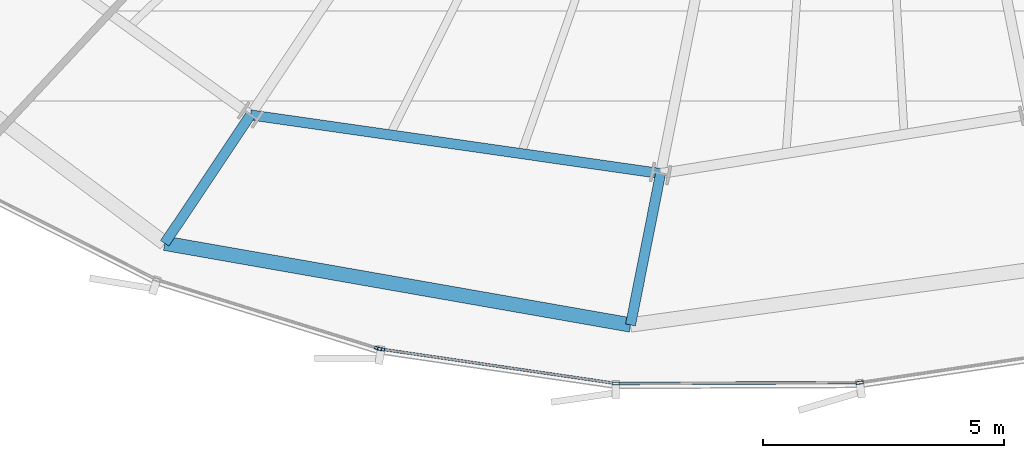
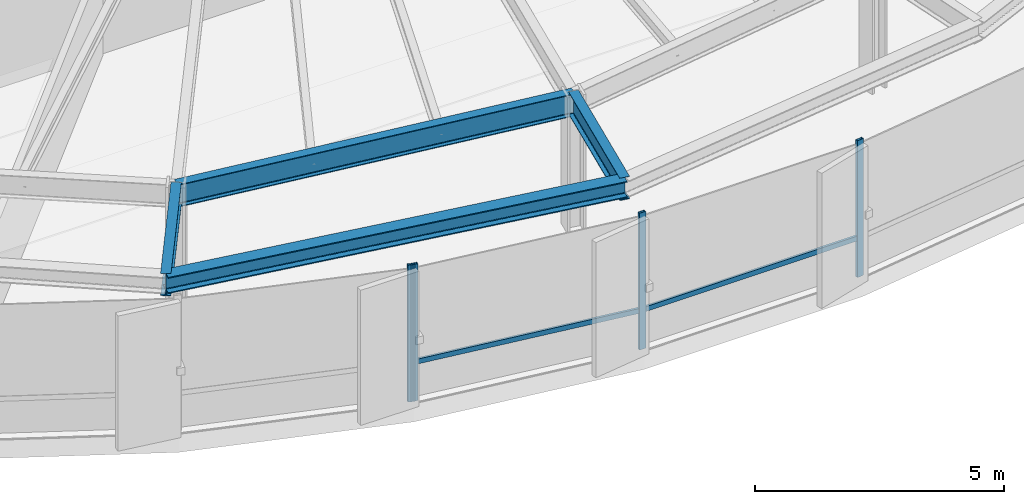
# One storey, part 5 of 35: 6 members, 4 beams, 2 elements without a shape of their own.
"""IFC4 building model written with IfcOpenShell, lengths in metres."""

from ifc_helpers import new_model, si_unit, direction, frame, origin, origin_2d, place, context, subcontext, project, spatial, hollow_rectangle, i_section, extrude, source, transform, mapped, material, layer, layer_set, material_profile, profile_set, type_object, element, aggregate, save


model = new_model("IFC4")

# Units and contexts
model_context = context("Model", 3, precision=1e-05, world=origin(), true_north=direction((0.0, 1.0)))
body_context = subcontext(model_context, "Body", "Model", "MODEL_VIEW")
ifc_project = project(units=[si_unit("LENGTHUNIT", "METRE"), si_unit("AREAUNIT", "SQUARE_METRE"), si_unit("VOLUMEUNIT", "CUBIC_METRE"), si_unit("PLANEANGLEUNIT", "RADIAN"), si_unit("MASSUNIT", "GRAM", prefix="KILO"), si_unit("THERMODYNAMICTEMPERATUREUNIT", "KELVIN")], contexts=[model_context])

# Site, building, storey
site_placement = place(None, origin())
site = spatial("IfcSite", under=ifc_project, at=site_placement, CompositionType="ELEMENT")
building_placement = place(site_placement, origin())
building = spatial("IfcBuilding", under=site, at=building_placement, Name="Kethvar Cultural Tower", CompositionType="ELEMENT")
storey_placement = place(building_placement, frame((0.0, 0.0, 85.60009765625)))
storey = spatial("IfcBuildingStorey", under=building, at=storey_placement, Name="L20", CompositionType="ELEMENT", Elevation=85.60009765625)

# Beams
ifc_material_1 = material(Name="Steel S355J2", Category="steel")
ifc_material_profile_1 = material_profile(ifc_material_1, i_section(OverallWidth=0.2099609375, OverallDepth=0.550048828125, WebThickness=0.010986328125, FlangeThickness=0.01708984375, FilletRadius=0.02392578125, at=origin_2d()), Name="Steel S355J2 — IPE550")
ifc_profile_set_1 = profile_set([ifc_material_profile_1], Name="Steel S355J2 — IPE550")
beam_type_1 = type_object("IfcBeamType", Name="BM-IPE550", PredefinedType="BEAM", material=ifc_profile_set_1)
shared_shape_1 = source(origin(), body_context, "Body", "SweptSolid", [
    extrude(i_section(OverallWidth=0.2099609375, OverallDepth=0.550048828125, WebThickness=0.010986328125, FlangeThickness=0.01708984375, FilletRadius=0.02392578125, at=origin_2d()), origin(), (0.0, 0.0, 1.0), 3.199951171875),
])
beam_1_placement = place(storey_placement, frame((34.350830078125, 9.16845703125, 3.072998046875), z_axis=(-0.555580212716, -0.831462943996, 0.0), x_axis=(0.831462943996, -0.555580212716, 0.0)))
element("IfcBeam", 1, at=beam_1_placement, inside=storey, type_object=beam_type_1, Name="L20 Perimeter Cantilever Beam RC-11", PredefinedType="BEAM", context=body_context, shape_type="MappedRepresentation", body=[
    mapped(shared_shape_1, transform((0.0, 0.0, 0.0), scale=1.0)),
])
shared_shape_2 = source(origin(), body_context, "Body", "SweptSolid", [
    extrude(i_section(OverallWidth=0.2099609375, OverallDepth=0.550048828125, WebThickness=0.010986328125, FlangeThickness=0.01708984375, FilletRadius=0.02392578125, at=origin_2d()), origin(), (0.0, 0.0, 1.0), 3.2001953125),
])
beam_2_placement = place(storey_placement, frame((42.852294921875, 7.95361328125, 3.072998046875), z_axis=(-0.195074368086, -0.980788453702, 0.0), x_axis=(0.980788453702, -0.195074368086, 0.0)))
element("IfcBeam", 2, at=beam_2_placement, inside=storey, type_object=beam_type_1, Name="L20 Perimeter Cantilever Beam RC-12", PredefinedType="BEAM", context=body_context, shape_type="MappedRepresentation", body=[
    mapped(shared_shape_2, transform((0.0, 0.0, 0.0), scale=1.0)),
])
shared_shape_3 = source(origin(), body_context, "Body", "SweptSolid", [
    extrude(i_section(OverallWidth=0.2099609375, OverallDepth=0.550048828125, WebThickness=0.010986328125, FlangeThickness=0.01708984375, FilletRadius=0.02392578125, at=origin_2d()), origin(), (0.0, 0.0, 1.0), 8.587890625),
])
beam_3_placement = place(storey_placement, frame((34.350830078125, 9.16845703125, 3.072998046875), z_axis=(0.989943807123, -0.141461156288, 0.0), x_axis=(0.141461156288, 0.989943807123, 0.0)))
element("IfcBeam", 3, at=beam_3_placement, inside=storey, type_object=beam_type_1, Name="L20 Column Ring Tie Beam CR-11", PredefinedType="BEAM", context=body_context, shape_type="MappedRepresentation", body=[
    mapped(shared_shape_3, transform((0.0, 0.0, 0.0), scale=1.0)),
])
ifc_material_profile_2 = material_profile(ifc_material_1, i_section(OverallWidth=0.300048828125, OverallDepth=0.39990234375, WebThickness=0.013427734375, FlangeThickness=0.02392578125, FilletRadius=0.027099609375, at=origin_2d()), Name="Steel S355J2 — HEB400")
ifc_profile_set_2 = profile_set([ifc_material_profile_2], Name="Steel S355J2 — HEB400")
beam_type_2 = type_object("IfcBeamType", Name="BM-SP400", PredefinedType="SPANDREL", material=ifc_profile_set_2)
shared_shape_4 = source(origin(), body_context, "Body", "SweptSolid", [
    extrude(i_section(OverallWidth=0.300048828125, OverallDepth=0.39990234375, WebThickness=0.013427734375, FlangeThickness=0.02392578125, FilletRadius=0.027099609375, at=origin_2d()), origin(), (0.0, 0.0, 1.0), 9.80224609375),
])
beam_4_placement = place(storey_placement, frame((32.572998046875, 6.5078125, 3.14794921875), z_axis=(0.984974273513, -0.172701130618, 0.0), x_axis=(0.172701130618, 0.984974273513, 0.0)))
element("IfcBeam", 4, at=beam_4_placement, inside=storey, type_object=beam_type_2, Name="L20 Perimeter Spandrel Beam SP-11", PredefinedType="SPANDREL", context=body_context, shape_type="MappedRepresentation", body=[
    mapped(shared_shape_4, transform((0.0, 0.0, 0.0), scale=1.0)),
])

# Curtain wall, member
ifc_material_2 = material(Name="Aluminium 6063-T6", Category="aluminium")
ifc_layer = layer(ifc_material_2, 0.179931640625, Name="Aluminium 6063-T6", Category="aluminium")
ifc_layer_set = layer_set([ifc_layer], Name="Aluminium 6063-T6 (180 mm)")
curtain_wall_type = type_object("IfcCurtainWallType", Name="CW-SYS-03-Z2", PredefinedType="NOTDEFINED", material=ifc_layer_set)
curtain_wall_1_placement = place(storey_placement, origin())
curtain_wall_1 = element("IfcCurtainWall", 5, at=curtain_wall_1_placement, inside=storey, type_object=curtain_wall_type, Name="L20 Curtain Wall Run 04", PredefinedType="NOTDEFINED")
ifc_material_profile_3 = material_profile(ifc_material_2, hollow_rectangle(XDim=0.06005859375, YDim=0.14990234375, WallThickness=0.0048828125, at=origin_2d()), Name="Aluminium 6063-T6 — RHS150x60x5")
ifc_profile_set_3 = profile_set([ifc_material_profile_3], Name="Aluminium 6063-T6 — RHS150x60x5")
member_type_1 = type_object("IfcMemberType", Name="CW-SYS-03-Z2-MUL", PredefinedType="MULLION", material=ifc_profile_set_3)
shared_shape_5 = source(origin(), body_context, "Body", "SweptSolid", [
    extrude(hollow_rectangle(XDim=0.06005859375, YDim=0.14990234375, WallThickness=0.0048828125, at=origin_2d()), origin(), (0.0, 0.0, 1.0), 3.349853515625),
])
member_1_placement = place(storey_placement, frame((36.99658203125, 4.3271484375, 0.0), z_axis=(0.0, 0.0, 1.0), x_axis=(0.296658250459, 0.954983707942, 0.0)))
member_1 = element("IfcMember", 6, at=member_1_placement, type_object=member_type_1, Name="CW-L20-R04 Mullion 7", PredefinedType="MULLION", context=body_context, shape_type="MappedRepresentation", body=[
    mapped(shared_shape_5, transform((0.0, 0.0, 0.0), scale=1.0)),
])
aggregate(curtain_wall_1, [member_1])

# Curtain wall, members
curtain_wall_2_placement = place(storey_placement, origin())
curtain_wall_2 = element("IfcCurtainWall", 7, at=curtain_wall_2_placement, inside=storey, type_object=curtain_wall_type, Name="L20 Curtain Wall Run 05", PredefinedType="NOTDEFINED")
member_2_placement = place(storey_placement, frame((37.054931640625, 4.313720703125, 0.0), z_axis=(0.0, 0.0, 1.0), x_axis=(0.144684332236, 0.989477864333, 0.0)))
member_2 = element("IfcMember", 8, at=member_2_placement, type_object=member_type_1, Name="CW-L20-R05 Mullion 1", PredefinedType="MULLION", context=body_context, shape_type="MappedRepresentation", body=[
    mapped(shared_shape_5, transform((0.0, 0.0, 0.0), scale=1.0)),
])
member_3_placement = place(storey_placement, frame((41.923095703125, 3.6005859375, 0.0), z_axis=(0.0, 0.0, 1.0), x_axis=(-0.003682636398, 0.999993219072, 0.0)))
member_3 = element("IfcMember", 9, at=member_3_placement, type_object=member_type_1, Name="CW-L20-R05 Mullion 2", PredefinedType="MULLION", context=body_context, shape_type="MappedRepresentation", body=[
    mapped(shared_shape_5, transform((0.0, 0.0, 0.0), scale=1.0)),
])
member_4_placement = place(storey_placement, frame((46.978515625, 3.6181640625, 0.0), z_axis=(0.0, 0.0, 1.0), x_axis=(-0.147774887873, 0.989021022281, 0.0)))
member_4 = element("IfcMember", 10, at=member_4_placement, type_object=member_type_1, Name="CW-L20-R05 Mullion 3", PredefinedType="MULLION", context=body_context, shape_type="MappedRepresentation", body=[
    mapped(shared_shape_5, transform((0.0, 0.0, 0.0), scale=1.0)),
])
ifc_material_profile_4 = material_profile(ifc_material_2, hollow_rectangle(XDim=0.054931640625, YDim=0.1201171875, WallThickness=0.00390625, at=origin_2d()), Name="Aluminium 6063-T6 — RHS120x55x4")
ifc_profile_set_4 = profile_set([ifc_material_profile_4], Name="Aluminium 6063-T6 — RHS120x55x4")
member_type_2 = type_object("IfcMemberType", Name="CW-SYS-03-Z2-TRN", PredefinedType="USERDEFINED", material=ifc_profile_set_4)
shared_shape_6 = source(origin(), body_context, "Body", "SweptSolid", [
    extrude(hollow_rectangle(XDim=0.054931640625, YDim=0.1201171875, WallThickness=0.00390625, at=origin_2d()), origin(), (0.0, 0.0, 1.0), 4.985595703125),
])
member_5_placement = place(storey_placement, frame((41.96630859375, 3.600830078125, 0.949951171875), z_axis=(0.999993255743, 0.003672665109, 0.0), x_axis=(-0.003672665109, 0.999993255743, 0.0)))
member_5 = element("IfcMember", 11, at=member_5_placement, type_object=member_type_2, Name="CW-L20-R05 Transom 2", ObjectType="TRANSOM", PredefinedType="USERDEFINED", context=body_context, shape_type="MappedRepresentation", body=[
    mapped(shared_shape_6, transform((0.0, 0.0, 0.0), scale=1.0)),
])
shared_shape_7 = source(origin(), body_context, "Body", "SweptSolid", [
    extrude(hollow_rectangle(XDim=0.054931640625, YDim=0.1201171875, WallThickness=0.00390625, at=origin_2d()), origin(), (0.0, 0.0, 1.0), 4.889892578125),
])
member_6_placement = place(storey_placement, frame((37.05908203125, 4.313232421875, 0.949951171875), z_axis=(0.989476760832, -0.144691878741, 0.0), x_axis=(0.144691878741, 0.989476760832, 0.0)))
member_6 = element("IfcMember", 12, at=member_6_placement, type_object=member_type_2, Name="CW-L20-R05 Transom 1", ObjectType="TRANSOM", PredefinedType="USERDEFINED", context=body_context, shape_type="MappedRepresentation", body=[
    mapped(shared_shape_7, transform((0.0, 0.0, 0.0), scale=1.0)),
])
aggregate(curtain_wall_2, [member_2, member_3, member_4, member_6, member_5])

save(model, "model.ifc")
